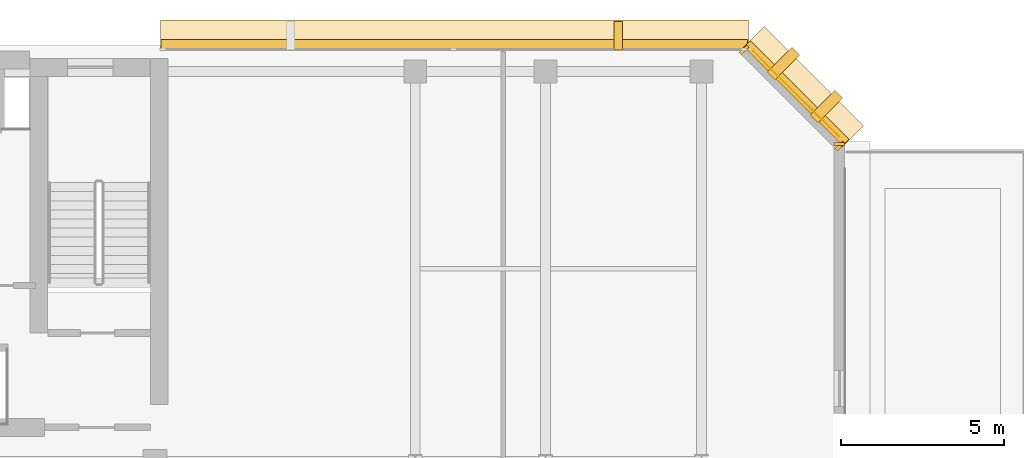
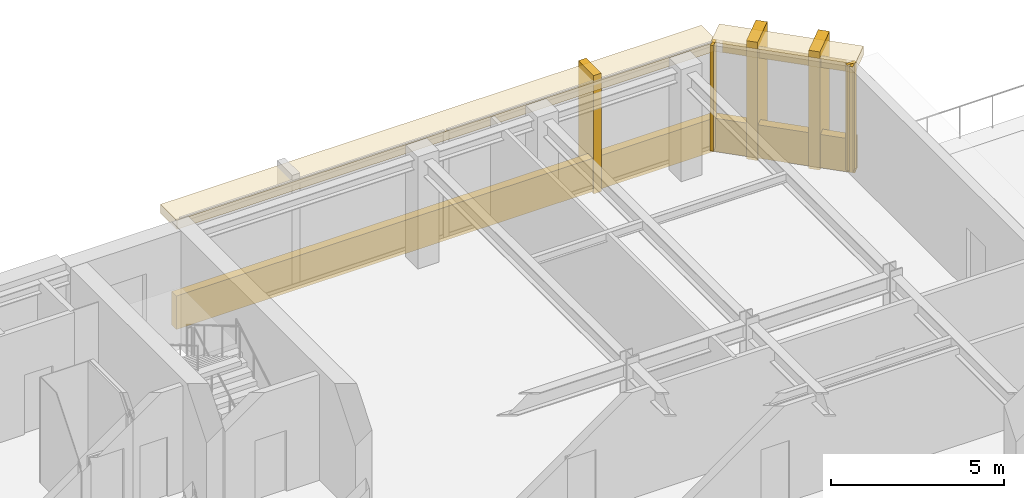
# One storey, part 11 of 11: 11 coverings.
"""IFC4 building model written with IfcOpenShell, lengths in metres."""

from ifc_helpers import new_model, si_unit, direction, frame, origin, origin_2d, place, context, subcontext, project, spatial, rectangle, extrude, material, layer, layer_set, type_object, element, save


model = new_model("IFC4")

# Units and contexts
model_context = context("Model", 3, precision=1e-05, world=origin(), true_north=direction((0.0, 1.0)))
body_context = subcontext(model_context, "Body", "Model", "MODEL_VIEW")
ifc_project = project(units=[si_unit("LENGTHUNIT", "METRE"), si_unit("AREAUNIT", "SQUARE_METRE"), si_unit("VOLUMEUNIT", "CUBIC_METRE"), si_unit("PLANEANGLEUNIT", "RADIAN"), si_unit("MASSUNIT", "GRAM", prefix="KILO")], contexts=[model_context])

# Site, building, storey
site_placement = place(None, origin())
site = spatial("IfcSite", under=ifc_project, at=site_placement, CompositionType="ELEMENT")
building_placement = place(site_placement, origin())
building = spatial("IfcBuilding", under=site, at=building_placement, Name="Kefirva Bronze Tower", CompositionType="ELEMENT")
storey_placement = place(building_placement, frame((0.0, 0.0, 272.25)))
storey = spatial("IfcBuildingStorey", under=building, at=storey_placement, Name="L66", CompositionType="ELEMENT", Elevation=272.25)

# Coverings
ifc_material = material(Name="Bronze anodised aluminium", Category="aluminium")
ifc_layer_1 = layer(ifc_material, 0.02001953125, Name="Bronze anodised aluminium")
ifc_layer_set_1 = layer_set([ifc_layer_1], Name="Bronze anodised aluminium")
covering_type_1 = type_object("IfcCoveringType", Name="Anodised Bronze Spandrel Cladding 20mm", PredefinedType="CLADDING", material=ifc_layer_set_1)
covering_1_placement = place(storey_placement, frame((44.239990234375, 42.965087890625, 0.0), z_axis=(0.0, 0.0, 1.0), x_axis=(0.0, 1.0, 0.0)))
element("IfcCovering", 1, at=covering_1_placement, inside=storey, type_object=covering_type_1, Name="L66 Facade Joint Closure Panel 5E", PredefinedType="CLADDING", context=body_context, shape_type="SweptSolid", body=[
    extrude(rectangle(XDim=0.10009765625, YDim=0.320068359375, at=origin_2d()), origin(), (0.0, 0.0, 1.0), 3.739990234375),
])
covering_2_placement = place(storey_placement, frame((42.906982421875, 44.507080078125, 3.320068359375), z_axis=(0.0, 0.0, 1.0), x_axis=(-0.707106781187, 0.707106781187, 0.0)))
element("IfcCovering", 2, at=covering_2_placement, inside=storey, type_object=covering_type_1, Name="L66 Bronze Spandrel Cladding 6", PredefinedType="CLADDING", context=body_context, shape_type="SweptSolid", body=[
    extrude(rectangle(XDim=3.719482421875, YDim=0.02001953125, at=origin_2d()), origin(), (0.0, 0.0, 1.0), 0.39990234375),
])
for number, where, z_axis, x_axis, name in (
    (3, (44.26220703125, 42.91162109375, 0.0), (0.0, 0.0, 1.0), (-0.707106781187, 0.707106781187, 0.0), "L66 Facade Joint Closure Panel 6S"),
    (4, (41.311767578125, 45.862060546875, 0.0), (0.0, 0.0, 1.0), (-0.707106781187, 0.707106781187, 0.0), "L66 Facade Joint Closure Panel 6E"),
):
    element("IfcCovering", number, at=place(storey_placement, frame(where, z_axis=z_axis, x_axis=x_axis)), inside=storey, type_object=covering_type_1, Name=name, PredefinedType="CLADDING", context=body_context, shape_type="SweptSolid", body=[
        extrude(rectangle(XDim=0.10009765625, YDim=0.320068359375, at=origin_2d()), origin(), (0.0, 0.0, 1.0), 3.739990234375),
    ])
covering_3_placement = place(storey_placement, frame((42.92822265625, 44.5283203125, -0.16015625), z_axis=(0.0, 0.0, 1.0), x_axis=(-0.707106781187, 0.707106781187, 0.0)))
element("IfcCovering", 5, at=covering_3_placement, inside=storey, type_object=covering_type_1, Name="L66 Streamline Horizontal Spandrel Band 7", PredefinedType="CLADDING", context=body_context, shape_type="SweptSolid", body=[
    extrude(rectangle(XDim=4.28271484375, YDim=0.280029296875, at=origin_2d()), origin(), (0.0, 0.0, 1.0), 1.179931640625),
])
covering_4_placement = place(storey_placement, frame((32.402587890625, 46.0400390625, -0.16015625), z_axis=(0.0, 0.0, 1.0), x_axis=(-1.0, 0.0, 0.0)))
element("IfcCovering", 6, at=covering_4_placement, inside=storey, type_object=covering_type_1, Name="L66 Streamline Horizontal Spandrel Band 8", PredefinedType="CLADDING", context=body_context, shape_type="SweptSolid", body=[
    extrude(rectangle(XDim=18.034912109375, YDim=0.280029296875, at=origin_2d()), origin(), (0.0, 0.0, 1.0), 1.179931640625),
])
ifc_layer_2 = layer(ifc_material, 0.179931640625, Name="Bronze anodised aluminium")
ifc_layer_set_2 = layer_set([ifc_layer_2], Name="Bronze anodised aluminium")
covering_type_2 = type_object("IfcCoveringType", Name="Streamline Bronze Sunshade Eyebrow Cladding 180mm", PredefinedType="CLADDING", material=ifc_layer_set_2)
covering_5_placement = place(storey_placement, frame((43.119140625, 44.71923828125, 3.419921875), z_axis=(0.0, 0.0, 1.0), x_axis=(-0.707106781187, 0.707106781187, 0.0)))
element("IfcCovering", 7, at=covering_5_placement, inside=storey, type_object=covering_type_2, Name="L66 Streamline Bronze Sunshade Eyebrow 7", PredefinedType="CLADDING", context=body_context, shape_type="SweptSolid", body=[
    extrude(rectangle(XDim=4.322509765625, YDim=0.93994140625, at=origin_2d()), origin(), (0.0, 0.0, 1.0), 0.320068359375),
])
covering_6_placement = place(storey_placement, frame((32.402587890625, 46.31005859375, 3.419921875), z_axis=(0.0, 0.0, 1.0), x_axis=(-1.0, 0.0, 0.0)))
element("IfcCovering", 8, at=covering_6_placement, inside=storey, type_object=covering_type_2, Name="L66 Streamline Bronze Sunshade Eyebrow 8", PredefinedType="CLADDING", context=body_context, shape_type="SweptSolid", body=[
    extrude(rectangle(XDim=18.074951171875, YDim=0.93994140625, at=origin_2d()), origin(), (0.0, 0.0, 1.0), 0.320068359375),
])
ifc_layer_3 = layer(ifc_material, 0.260009765625, Name="Bronze anodised aluminium")
ifc_layer_set_3 = layer_set([ifc_layer_3], Name="Bronze anodised aluminium")
covering_type_3 = type_object("IfcCoveringType", Name="Unbroken Bronze Buttress Fin Cladding 260mm", PredefinedType="CLADDING", material=ifc_layer_set_3)
for number, where, z_axis, x_axis, name in (
    (9, (43.8427734375, 44.122802734375, -0.2197265625), (0.0, 0.0, 1.0), (-0.707106781187, 0.707106781187, 0.0), "L66 Chamfered Corner Buttress Fin Cladding 13"),
    (10, (42.522705078125, 45.44287109375, -0.2197265625), (0.0, 0.0, 1.0), (-0.707106781187, 0.707106781187, 0.0), "L66 Chamfered Corner Buttress Fin Cladding 14"),
):
    element("IfcCovering", number, at=place(storey_placement, frame(where, z_axis=z_axis, x_axis=x_axis)), inside=storey, type_object=covering_type_3, Name=name, PredefinedType="CLADDING", context=body_context, shape_type="SweptSolid", body=[
        extrude(rectangle(XDim=0.340087890625, YDim=1.080078125, at=origin_2d()), origin(), (0.0, 0.0, 1.0), 4.179931640625),
    ])
covering_7_placement = place(storey_placement, frame((37.441162109375, 46.300048828125, -0.2197265625), z_axis=(0.0, 0.0, 1.0), x_axis=(-1.0, 0.0, 0.0)))
element("IfcCovering", 11, at=covering_7_placement, inside=storey, type_object=covering_type_3, Name="L66 Unbroken Vertical Bronze Rib Fin 15", PredefinedType="CLADDING", context=body_context, shape_type="SweptSolid", body=[
    extrude(rectangle(XDim=0.260009765625, YDim=0.8798828125, at=origin_2d()), origin(), (0.0, 0.0, 1.0), 4.179931640625),
])

save(model, "model.ifc")
